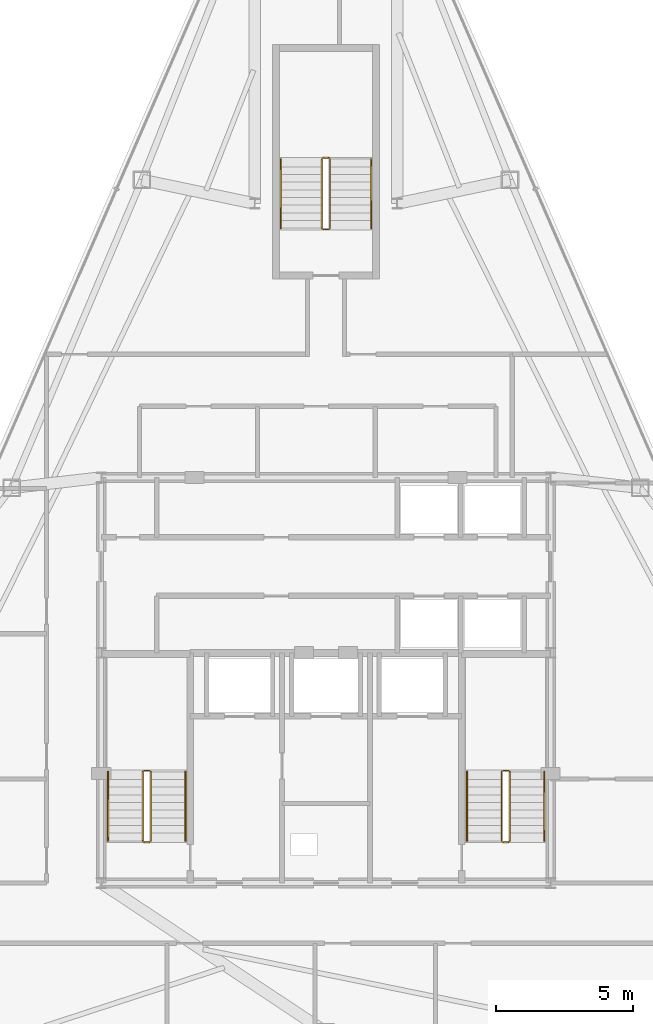
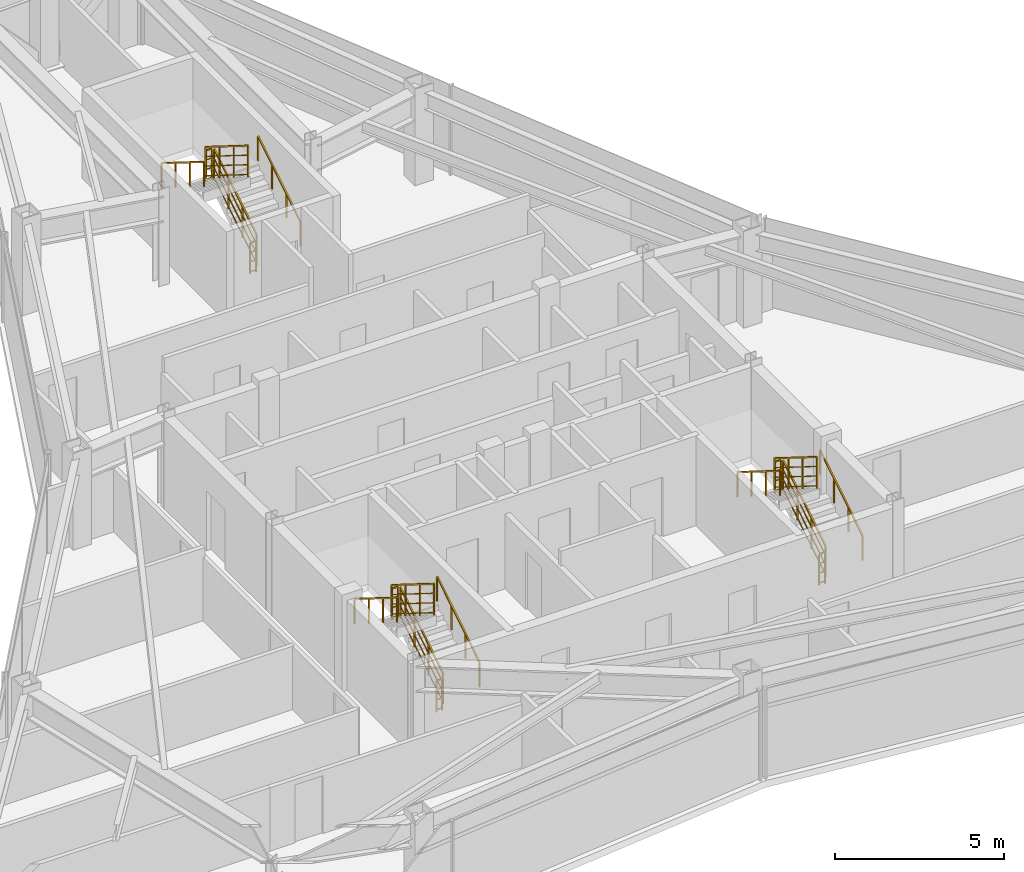
# One storey, part 11 of 11: 18 railings.
"""IFC4 building model written with IfcOpenShell, lengths in metres."""

from ifc_helpers import new_model, si_unit, direction, frame, origin, origin_2d, place, context, subcontext, project, spatial, rectangle, extrude, material, type_object, element, save


model = new_model("IFC4")

# Units and contexts
model_context = context("Model", 3, precision=1e-05, world=origin(), true_north=direction((0.0, 1.0)))
body_context = subcontext(model_context, "Body", "Model", "MODEL_VIEW")
ifc_project = project(units=[si_unit("LENGTHUNIT", "METRE"), si_unit("AREAUNIT", "SQUARE_METRE"), si_unit("VOLUMEUNIT", "CUBIC_METRE"), si_unit("PLANEANGLEUNIT", "RADIAN"), si_unit("MASSUNIT", "GRAM", prefix="KILO")], contexts=[model_context])

# Site, building, storey
site_placement = place(None, origin())
site = spatial("IfcSite", under=ifc_project, at=site_placement, CompositionType="ELEMENT")
building_placement = place(site_placement, origin())
building = spatial("IfcBuilding", under=site, at=building_placement, Name="Varakhsha Concourse Tower", CompositionType="ELEMENT")
storey_placement = place(building_placement, frame((0.0, 0.0, 279.5)))
storey = spatial("IfcBuildingStorey", under=building, at=storey_placement, Name="L79", CompositionType="ELEMENT", Elevation=279.5)

# Railings
ifc_material = material(Name="Brushed Austenitic Stainless Steel AISI 316", Category="steel")
railing_type_1 = type_object("IfcRailingType", Name="RL-STAIR-GUARD-1100", PredefinedType="GUARDRAIL", material=ifc_material)
railing_1_placement = place(storey_placement, frame((33.610107421875, 17.93994140625, 0.175048828125)))
element("IfcRailing", 1, at=railing_1_placement, inside=storey, type_object=railing_type_1, Name="L79 ST1 stair guard 1", PredefinedType="GUARDRAIL", context=body_context, shape_type="SweptSolid", body=[
    extrude(rectangle(XDim=0.048095703125, YDim=0.048095703125, at=origin_2d()), frame((0.0, 0.0, 1.1259765625), z_axis=(0.0, 0.848007534815, 0.529984170421), x_axis=(-1.0, 0.0, 0.0)), (0.0, 0.0, 1.0), 2.9716796875),
    extrude(rectangle(XDim=0.028076171875, YDim=0.028076171875, at=origin_2d()), frame((0.0, 0.0, 0.080078125), z_axis=(0.0, 0.848007534815, 0.529984170421), x_axis=(-1.0, 0.0, 0.0)), (0.0, 0.0, 1.0), 2.9716796875),
    extrude(rectangle(XDim=0.028076171875, YDim=0.028076171875, at=origin_2d()), frame((0.0, 0.0, 0.43701171875), z_axis=(0.0, 0.848007534815, 0.529984170421), x_axis=(-1.0, 0.0, 0.0)), (0.0, 0.0, 1.0), 2.9716796875),
    extrude(rectangle(XDim=0.028076171875, YDim=0.028076171875, at=origin_2d()), frame((0.0, 0.0, 0.781982421875), z_axis=(0.0, 0.848007534815, 0.529984170421), x_axis=(-1.0, 0.0, 0.0)), (0.0, 0.0, 1.0), 2.9716796875),
    extrude(rectangle(XDim=0.0419921875, YDim=0.0419921875, at=origin_2d()), origin(), (0.0, 0.0, 1.0), 1.101806640625),
    extrude(rectangle(XDim=0.0419921875, YDim=0.0419921875, at=origin_2d()), frame((0.0, 0.840087890625, 0.52490234375)), (0.0, 0.0, 1.0), 1.101806640625),
    extrude(rectangle(XDim=0.0419921875, YDim=0.0419921875, at=origin_2d()), frame((0.0, 1.679931640625, 1.050048828125)), (0.0, 0.0, 1.0), 1.101806640625),
    extrude(rectangle(XDim=0.0419921875, YDim=0.0419921875, at=origin_2d()), frame((0.0, 2.52001953125, 1.574951171875)), (0.0, 0.0, 1.0), 1.101806640625),
])
railing_2_placement = place(storey_placement, frame((33.56005859375, 20.510009765625, 1.75)))
element("IfcRailing", 2, at=railing_2_placement, inside=storey, type_object=railing_type_1, Name="L79 ST1 stair guard 2", PredefinedType="GUARDRAIL", context=body_context, shape_type="SweptSolid", body=[
    extrude(rectangle(XDim=0.048095703125, YDim=0.048095703125, at=origin_2d()), frame((0.0, 0.0, 1.1259765625), z_axis=(-1.0, 0.0, 0.0), x_axis=(0.0, -1.0, 0.0)), (0.0, 0.0, 1.0), 0.199951171875),
    extrude(rectangle(XDim=0.028076171875, YDim=0.028076171875, at=origin_2d()), frame((0.0, 0.0, 0.080078125), z_axis=(-1.0, 0.0, 0.0), x_axis=(0.0, -1.0, 0.0)), (0.0, 0.0, 1.0), 0.199951171875),
    extrude(rectangle(XDim=0.028076171875, YDim=0.028076171875, at=origin_2d()), frame((0.0, 0.0, 0.43701171875), z_axis=(-1.0, 0.0, 0.0), x_axis=(0.0, -1.0, 0.0)), (0.0, 0.0, 1.0), 0.199951171875),
    extrude(rectangle(XDim=0.028076171875, YDim=0.028076171875, at=origin_2d()), frame((0.0, 0.0, 0.781982421875), z_axis=(-1.0, 0.0, 0.0), x_axis=(0.0, -1.0, 0.0)), (0.0, 0.0, 1.0), 0.199951171875),
    extrude(rectangle(XDim=0.0419921875, YDim=0.0419921875, at=origin_2d()), origin(), (0.0, 0.0, 1.0), 1.101806640625),
    extrude(rectangle(XDim=0.0419921875, YDim=0.0419921875, at=origin_2d()), frame((-0.199951171875, 0.0, 0.0)), (0.0, 0.0, 1.0), 1.101806640625),
])
railing_3_placement = place(storey_placement, frame((33.31005859375, 20.4599609375, 1.925048828125)))
element("IfcRailing", 3, at=railing_3_placement, inside=storey, type_object=railing_type_1, Name="L79 ST1 stair guard 3", PredefinedType="GUARDRAIL", context=body_context, shape_type="SweptSolid", body=[
    extrude(rectangle(XDim=0.048095703125, YDim=0.048095703125, at=origin_2d()), frame((0.0, 0.0, 1.1259765625), z_axis=(0.0, -0.848007534815, 0.529984170421), x_axis=(1.0, 0.0, 0.0)), (0.0, 0.0, 1.0), 2.9716796875),
    extrude(rectangle(XDim=0.028076171875, YDim=0.028076171875, at=origin_2d()), frame((0.0, 0.0, 0.080078125), z_axis=(0.0, -0.848007534815, 0.529984170421), x_axis=(1.0, 0.0, 0.0)), (0.0, 0.0, 1.0), 2.9716796875),
    extrude(rectangle(XDim=0.028076171875, YDim=0.028076171875, at=origin_2d()), frame((0.0, 0.0, 0.43701171875), z_axis=(0.0, -0.848007534815, 0.529984170421), x_axis=(1.0, 0.0, 0.0)), (0.0, 0.0, 1.0), 2.9716796875),
    extrude(rectangle(XDim=0.028076171875, YDim=0.028076171875, at=origin_2d()), frame((0.0, 0.0, 0.781982421875), z_axis=(0.0, -0.848007534815, 0.529984170421), x_axis=(1.0, 0.0, 0.0)), (0.0, 0.0, 1.0), 2.9716796875),
    extrude(rectangle(XDim=0.0419921875, YDim=0.0419921875, at=origin_2d()), origin(), (0.0, 0.0, 1.0), 1.101806640625),
    extrude(rectangle(XDim=0.0419921875, YDim=0.0419921875, at=origin_2d()), frame((0.0, -0.840087890625, 0.52490234375)), (0.0, 0.0, 1.0), 1.101806640625),
    extrude(rectangle(XDim=0.0419921875, YDim=0.0419921875, at=origin_2d()), frame((0.0, -1.679931640625, 1.050048828125)), (0.0, 0.0, 1.0), 1.101806640625),
    extrude(rectangle(XDim=0.0419921875, YDim=0.0419921875, at=origin_2d()), frame((0.0, -2.52001953125, 1.574951171875)), (0.0, 0.0, 1.0), 1.101806640625),
])
railing_4_placement = place(storey_placement, frame((33.56005859375, 17.889892578125, 0.0)))
element("IfcRailing", 4, at=railing_4_placement, inside=storey, type_object=railing_type_1, Name="L79 ST1 stair guard 4", PredefinedType="GUARDRAIL", context=body_context, shape_type="SweptSolid", body=[
    extrude(rectangle(XDim=0.048095703125, YDim=0.048095703125, at=origin_2d()), frame((0.0, 0.0, 1.1259765625), z_axis=(-1.0, 0.0, 0.0), x_axis=(0.0, -1.0, 0.0)), (0.0, 0.0, 1.0), 0.199951171875),
    extrude(rectangle(XDim=0.028076171875, YDim=0.028076171875, at=origin_2d()), frame((0.0, 0.0, 0.080078125), z_axis=(-1.0, 0.0, 0.0), x_axis=(0.0, -1.0, 0.0)), (0.0, 0.0, 1.0), 0.199951171875),
    extrude(rectangle(XDim=0.028076171875, YDim=0.028076171875, at=origin_2d()), frame((0.0, 0.0, 0.43701171875), z_axis=(-1.0, 0.0, 0.0), x_axis=(0.0, -1.0, 0.0)), (0.0, 0.0, 1.0), 0.199951171875),
    extrude(rectangle(XDim=0.028076171875, YDim=0.028076171875, at=origin_2d()), frame((0.0, 0.0, 0.781982421875), z_axis=(-1.0, 0.0, 0.0), x_axis=(0.0, -1.0, 0.0)), (0.0, 0.0, 1.0), 0.199951171875),
    extrude(rectangle(XDim=0.0419921875, YDim=0.0419921875, at=origin_2d()), origin(), (0.0, 0.0, 1.0), 1.101806640625),
    extrude(rectangle(XDim=0.0419921875, YDim=0.0419921875, at=origin_2d()), frame((-0.199951171875, 0.0, 0.0)), (0.0, 0.0, 1.0), 1.101806640625),
])
railing_5_placement = place(storey_placement, frame((46.7099609375, 17.93994140625, 0.175048828125)))
element("IfcRailing", 5, at=railing_5_placement, inside=storey, type_object=railing_type_1, Name="L79 ST2 stair guard 1", PredefinedType="GUARDRAIL", context=body_context, shape_type="SweptSolid", body=[
    extrude(rectangle(XDim=0.048095703125, YDim=0.048095703125, at=origin_2d()), frame((0.0, 0.0, 1.1259765625), z_axis=(0.0, 0.848007534815, 0.529984170421), x_axis=(-1.0, 0.0, 0.0)), (0.0, 0.0, 1.0), 2.9716796875),
    extrude(rectangle(XDim=0.028076171875, YDim=0.028076171875, at=origin_2d()), frame((0.0, 0.0, 0.080078125), z_axis=(0.0, 0.848007534815, 0.529984170421), x_axis=(-1.0, 0.0, 0.0)), (0.0, 0.0, 1.0), 2.9716796875),
    extrude(rectangle(XDim=0.028076171875, YDim=0.028076171875, at=origin_2d()), frame((0.0, 0.0, 0.43701171875), z_axis=(0.0, 0.848007534815, 0.529984170421), x_axis=(-1.0, 0.0, 0.0)), (0.0, 0.0, 1.0), 2.9716796875),
    extrude(rectangle(XDim=0.028076171875, YDim=0.028076171875, at=origin_2d()), frame((0.0, 0.0, 0.781982421875), z_axis=(0.0, 0.848007534815, 0.529984170421), x_axis=(-1.0, 0.0, 0.0)), (0.0, 0.0, 1.0), 2.9716796875),
    extrude(rectangle(XDim=0.0419921875, YDim=0.0419921875, at=origin_2d()), origin(), (0.0, 0.0, 1.0), 1.101806640625),
    extrude(rectangle(XDim=0.0419921875, YDim=0.0419921875, at=origin_2d()), frame((0.0, 0.840087890625, 0.52490234375)), (0.0, 0.0, 1.0), 1.101806640625),
    extrude(rectangle(XDim=0.0419921875, YDim=0.0419921875, at=origin_2d()), frame((0.0, 1.679931640625, 1.050048828125)), (0.0, 0.0, 1.0), 1.101806640625),
    extrude(rectangle(XDim=0.0419921875, YDim=0.0419921875, at=origin_2d()), frame((0.0, 2.52001953125, 1.574951171875)), (0.0, 0.0, 1.0), 1.101806640625),
])
railing_6_placement = place(storey_placement, frame((46.659912109375, 20.510009765625, 1.75)))
element("IfcRailing", 6, at=railing_6_placement, inside=storey, type_object=railing_type_1, Name="L79 ST2 stair guard 2", PredefinedType="GUARDRAIL", context=body_context, shape_type="SweptSolid", body=[
    extrude(rectangle(XDim=0.048095703125, YDim=0.048095703125, at=origin_2d()), frame((0.0, 0.0, 1.1259765625), z_axis=(-1.0, 0.0, 0.0), x_axis=(0.0, -1.0, 0.0)), (0.0, 0.0, 1.0), 0.199951171875),
    extrude(rectangle(XDim=0.028076171875, YDim=0.028076171875, at=origin_2d()), frame((0.0, 0.0, 0.080078125), z_axis=(-1.0, 0.0, 0.0), x_axis=(0.0, -1.0, 0.0)), (0.0, 0.0, 1.0), 0.199951171875),
    extrude(rectangle(XDim=0.028076171875, YDim=0.028076171875, at=origin_2d()), frame((0.0, 0.0, 0.43701171875), z_axis=(-1.0, 0.0, 0.0), x_axis=(0.0, -1.0, 0.0)), (0.0, 0.0, 1.0), 0.199951171875),
    extrude(rectangle(XDim=0.028076171875, YDim=0.028076171875, at=origin_2d()), frame((0.0, 0.0, 0.781982421875), z_axis=(-1.0, 0.0, 0.0), x_axis=(0.0, -1.0, 0.0)), (0.0, 0.0, 1.0), 0.199951171875),
    extrude(rectangle(XDim=0.0419921875, YDim=0.0419921875, at=origin_2d()), origin(), (0.0, 0.0, 1.0), 1.101806640625),
    extrude(rectangle(XDim=0.0419921875, YDim=0.0419921875, at=origin_2d()), frame((-0.199951171875, 0.0, 0.0)), (0.0, 0.0, 1.0), 1.101806640625),
])
railing_7_placement = place(storey_placement, frame((46.409912109375, 20.4599609375, 1.925048828125)))
element("IfcRailing", 7, at=railing_7_placement, inside=storey, type_object=railing_type_1, Name="L79 ST2 stair guard 3", PredefinedType="GUARDRAIL", context=body_context, shape_type="SweptSolid", body=[
    extrude(rectangle(XDim=0.048095703125, YDim=0.048095703125, at=origin_2d()), frame((0.0, 0.0, 1.1259765625), z_axis=(0.0, -0.848007534815, 0.529984170421), x_axis=(1.0, 0.0, 0.0)), (0.0, 0.0, 1.0), 2.9716796875),
    extrude(rectangle(XDim=0.028076171875, YDim=0.028076171875, at=origin_2d()), frame((0.0, 0.0, 0.080078125), z_axis=(0.0, -0.848007534815, 0.529984170421), x_axis=(1.0, 0.0, 0.0)), (0.0, 0.0, 1.0), 2.9716796875),
    extrude(rectangle(XDim=0.028076171875, YDim=0.028076171875, at=origin_2d()), frame((0.0, 0.0, 0.43701171875), z_axis=(0.0, -0.848007534815, 0.529984170421), x_axis=(1.0, 0.0, 0.0)), (0.0, 0.0, 1.0), 2.9716796875),
    extrude(rectangle(XDim=0.028076171875, YDim=0.028076171875, at=origin_2d()), frame((0.0, 0.0, 0.781982421875), z_axis=(0.0, -0.848007534815, 0.529984170421), x_axis=(1.0, 0.0, 0.0)), (0.0, 0.0, 1.0), 2.9716796875),
    extrude(rectangle(XDim=0.0419921875, YDim=0.0419921875, at=origin_2d()), origin(), (0.0, 0.0, 1.0), 1.101806640625),
    extrude(rectangle(XDim=0.0419921875, YDim=0.0419921875, at=origin_2d()), frame((0.0, -0.840087890625, 0.52490234375)), (0.0, 0.0, 1.0), 1.101806640625),
    extrude(rectangle(XDim=0.0419921875, YDim=0.0419921875, at=origin_2d()), frame((0.0, -1.679931640625, 1.050048828125)), (0.0, 0.0, 1.0), 1.101806640625),
    extrude(rectangle(XDim=0.0419921875, YDim=0.0419921875, at=origin_2d()), frame((0.0, -2.52001953125, 1.574951171875)), (0.0, 0.0, 1.0), 1.101806640625),
])
railing_8_placement = place(storey_placement, frame((46.659912109375, 17.889892578125, 0.0)))
element("IfcRailing", 8, at=railing_8_placement, inside=storey, type_object=railing_type_1, Name="L79 ST2 stair guard 4", PredefinedType="GUARDRAIL", context=body_context, shape_type="SweptSolid", body=[
    extrude(rectangle(XDim=0.048095703125, YDim=0.048095703125, at=origin_2d()), frame((0.0, 0.0, 1.1259765625), z_axis=(-1.0, 0.0, 0.0), x_axis=(0.0, -1.0, 0.0)), (0.0, 0.0, 1.0), 0.199951171875),
    extrude(rectangle(XDim=0.028076171875, YDim=0.028076171875, at=origin_2d()), frame((0.0, 0.0, 0.080078125), z_axis=(-1.0, 0.0, 0.0), x_axis=(0.0, -1.0, 0.0)), (0.0, 0.0, 1.0), 0.199951171875),
    extrude(rectangle(XDim=0.028076171875, YDim=0.028076171875, at=origin_2d()), frame((0.0, 0.0, 0.43701171875), z_axis=(-1.0, 0.0, 0.0), x_axis=(0.0, -1.0, 0.0)), (0.0, 0.0, 1.0), 0.199951171875),
    extrude(rectangle(XDim=0.028076171875, YDim=0.028076171875, at=origin_2d()), frame((0.0, 0.0, 0.781982421875), z_axis=(-1.0, 0.0, 0.0), x_axis=(0.0, -1.0, 0.0)), (0.0, 0.0, 1.0), 0.199951171875),
    extrude(rectangle(XDim=0.0419921875, YDim=0.0419921875, at=origin_2d()), origin(), (0.0, 0.0, 1.0), 1.101806640625),
    extrude(rectangle(XDim=0.0419921875, YDim=0.0419921875, at=origin_2d()), frame((-0.199951171875, 0.0, 0.0)), (0.0, 0.0, 1.0), 1.101806640625),
])
railing_9_placement = place(storey_placement, frame((40.14990234375, 40.300048828125, 0.175048828125)))
element("IfcRailing", 9, at=railing_9_placement, inside=storey, type_object=railing_type_1, Name="L79 ST5 stair guard 1", PredefinedType="GUARDRAIL", context=body_context, shape_type="SweptSolid", body=[
    extrude(rectangle(XDim=0.048095703125, YDim=0.048095703125, at=origin_2d()), frame((0.0, 0.0, 1.1259765625), z_axis=(0.0, 0.848007534815, 0.529984170421), x_axis=(-1.0, 0.0, 0.0)), (0.0, 0.0, 1.0), 2.9716796875),
    extrude(rectangle(XDim=0.028076171875, YDim=0.028076171875, at=origin_2d()), frame((0.0, 0.0, 0.080078125), z_axis=(0.0, 0.848007534815, 0.529984170421), x_axis=(-1.0, 0.0, 0.0)), (0.0, 0.0, 1.0), 2.9716796875),
    extrude(rectangle(XDim=0.028076171875, YDim=0.028076171875, at=origin_2d()), frame((0.0, 0.0, 0.43701171875), z_axis=(0.0, 0.848007534815, 0.529984170421), x_axis=(-1.0, 0.0, 0.0)), (0.0, 0.0, 1.0), 2.9716796875),
    extrude(rectangle(XDim=0.028076171875, YDim=0.028076171875, at=origin_2d()), frame((0.0, 0.0, 0.781982421875), z_axis=(0.0, 0.848007534815, 0.529984170421), x_axis=(-1.0, 0.0, 0.0)), (0.0, 0.0, 1.0), 2.9716796875),
    extrude(rectangle(XDim=0.0419921875, YDim=0.0419921875, at=origin_2d()), origin(), (0.0, 0.0, 1.0), 1.101806640625),
    extrude(rectangle(XDim=0.0419921875, YDim=0.0419921875, at=origin_2d()), frame((0.0, 0.840087890625, 0.52490234375)), (0.0, 0.0, 1.0), 1.101806640625),
    extrude(rectangle(XDim=0.0419921875, YDim=0.0419921875, at=origin_2d()), frame((0.0, 1.679931640625, 1.050048828125)), (0.0, 0.0, 1.0), 1.101806640625),
    extrude(rectangle(XDim=0.0419921875, YDim=0.0419921875, at=origin_2d()), frame((0.0, 2.52001953125, 1.574951171875)), (0.0, 0.0, 1.0), 1.101806640625),
])
railing_10_placement = place(storey_placement, frame((40.10009765625, 42.8701171875, 1.75)))
element("IfcRailing", 10, at=railing_10_placement, inside=storey, type_object=railing_type_1, Name="L79 ST5 stair guard 2", PredefinedType="GUARDRAIL", context=body_context, shape_type="SweptSolid", body=[
    extrude(rectangle(XDim=0.048095703125, YDim=0.048095703125, at=origin_2d()), frame((0.0, 0.0, 1.1259765625), z_axis=(-1.0, 0.0, 0.0), x_axis=(0.0, -1.0, 0.0)), (0.0, 0.0, 1.0), 0.2001953125),
    extrude(rectangle(XDim=0.028076171875, YDim=0.028076171875, at=origin_2d()), frame((0.0, 0.0, 0.080078125), z_axis=(-1.0, 0.0, 0.0), x_axis=(0.0, -1.0, 0.0)), (0.0, 0.0, 1.0), 0.2001953125),
    extrude(rectangle(XDim=0.028076171875, YDim=0.028076171875, at=origin_2d()), frame((0.0, 0.0, 0.43701171875), z_axis=(-1.0, 0.0, 0.0), x_axis=(0.0, -1.0, 0.0)), (0.0, 0.0, 1.0), 0.2001953125),
    extrude(rectangle(XDim=0.028076171875, YDim=0.028076171875, at=origin_2d()), frame((0.0, 0.0, 0.781982421875), z_axis=(-1.0, 0.0, 0.0), x_axis=(0.0, -1.0, 0.0)), (0.0, 0.0, 1.0), 0.2001953125),
    extrude(rectangle(XDim=0.0419921875, YDim=0.0419921875, at=origin_2d()), origin(), (0.0, 0.0, 1.0), 1.101806640625),
    extrude(rectangle(XDim=0.0419921875, YDim=0.0419921875, at=origin_2d()), frame((-0.2001953125, 0.0, 0.0)), (0.0, 0.0, 1.0), 1.101806640625),
])
railing_11_placement = place(storey_placement, frame((39.85009765625, 42.820068359375, 1.925048828125)))
element("IfcRailing", 11, at=railing_11_placement, inside=storey, type_object=railing_type_1, Name="L79 ST5 stair guard 3", PredefinedType="GUARDRAIL", context=body_context, shape_type="SweptSolid", body=[
    extrude(rectangle(XDim=0.048095703125, YDim=0.048095703125, at=origin_2d()), frame((0.0, 0.0, 1.1259765625), z_axis=(0.0, -0.848007534815, 0.529984170421), x_axis=(1.0, 0.0, 0.0)), (0.0, 0.0, 1.0), 2.9716796875),
    extrude(rectangle(XDim=0.028076171875, YDim=0.028076171875, at=origin_2d()), frame((0.0, 0.0, 0.080078125), z_axis=(0.0, -0.848007534815, 0.529984170421), x_axis=(1.0, 0.0, 0.0)), (0.0, 0.0, 1.0), 2.9716796875),
    extrude(rectangle(XDim=0.028076171875, YDim=0.028076171875, at=origin_2d()), frame((0.0, 0.0, 0.43701171875), z_axis=(0.0, -0.848007534815, 0.529984170421), x_axis=(1.0, 0.0, 0.0)), (0.0, 0.0, 1.0), 2.9716796875),
    extrude(rectangle(XDim=0.028076171875, YDim=0.028076171875, at=origin_2d()), frame((0.0, 0.0, 0.781982421875), z_axis=(0.0, -0.848007534815, 0.529984170421), x_axis=(1.0, 0.0, 0.0)), (0.0, 0.0, 1.0), 2.9716796875),
    extrude(rectangle(XDim=0.0419921875, YDim=0.0419921875, at=origin_2d()), origin(), (0.0, 0.0, 1.0), 1.101806640625),
    extrude(rectangle(XDim=0.0419921875, YDim=0.0419921875, at=origin_2d()), frame((0.0, -0.840087890625, 0.52490234375)), (0.0, 0.0, 1.0), 1.101806640625),
    extrude(rectangle(XDim=0.0419921875, YDim=0.0419921875, at=origin_2d()), frame((0.0, -1.679931640625, 1.050048828125)), (0.0, 0.0, 1.0), 1.101806640625),
    extrude(rectangle(XDim=0.0419921875, YDim=0.0419921875, at=origin_2d()), frame((0.0, -2.52001953125, 1.574951171875)), (0.0, 0.0, 1.0), 1.101806640625),
])
railing_12_placement = place(storey_placement, frame((40.10009765625, 40.25, 0.0)))
element("IfcRailing", 12, at=railing_12_placement, inside=storey, type_object=railing_type_1, Name="L79 ST5 stair guard 4", PredefinedType="GUARDRAIL", context=body_context, shape_type="SweptSolid", body=[
    extrude(rectangle(XDim=0.048095703125, YDim=0.048095703125, at=origin_2d()), frame((0.0, 0.0, 1.1259765625), z_axis=(-1.0, 0.0, 0.0), x_axis=(0.0, -1.0, 0.0)), (0.0, 0.0, 1.0), 0.2001953125),
    extrude(rectangle(XDim=0.028076171875, YDim=0.028076171875, at=origin_2d()), frame((0.0, 0.0, 0.080078125), z_axis=(-1.0, 0.0, 0.0), x_axis=(0.0, -1.0, 0.0)), (0.0, 0.0, 1.0), 0.2001953125),
    extrude(rectangle(XDim=0.028076171875, YDim=0.028076171875, at=origin_2d()), frame((0.0, 0.0, 0.43701171875), z_axis=(-1.0, 0.0, 0.0), x_axis=(0.0, -1.0, 0.0)), (0.0, 0.0, 1.0), 0.2001953125),
    extrude(rectangle(XDim=0.028076171875, YDim=0.028076171875, at=origin_2d()), frame((0.0, 0.0, 0.781982421875), z_axis=(-1.0, 0.0, 0.0), x_axis=(0.0, -1.0, 0.0)), (0.0, 0.0, 1.0), 0.2001953125),
    extrude(rectangle(XDim=0.0419921875, YDim=0.0419921875, at=origin_2d()), origin(), (0.0, 0.0, 1.0), 1.101806640625),
    extrude(rectangle(XDim=0.0419921875, YDim=0.0419921875, at=origin_2d()), frame((-0.2001953125, 0.0, 0.0)), (0.0, 0.0, 1.0), 1.101806640625),
])
railing_type_2 = type_object("IfcRailingType", Name="RL-STAIR-RAIL-915", PredefinedType="HANDRAIL", material=ifc_material)
railing_13_placement = place(storey_placement, frame((34.8701171875, 17.93994140625, 0.35009765625)))
element("IfcRailing", 13, at=railing_13_placement, inside=storey, type_object=railing_type_2, Name="L79 ST1 stair handrail 1", PredefinedType="HANDRAIL", context=body_context, shape_type="SweptSolid", body=[
    extrude(rectangle(XDim=0.048095703125, YDim=0.048095703125, at=origin_2d()), frame((0.0, 0.0, 0.89111328125), z_axis=(0.0, 0.848007534815, 0.529984170421), x_axis=(-1.0, 0.0, 0.0)), (0.0, 0.0, 1.0), 2.9716796875),
    extrude(rectangle(XDim=0.0419921875, YDim=0.0419921875, at=origin_2d()), origin(), (0.0, 0.0, 1.0), 0.866943359375),
    extrude(rectangle(XDim=0.0419921875, YDim=0.0419921875, at=origin_2d()), frame((0.0, 0.840087890625, 0.52490234375)), (0.0, 0.0, 1.0), 0.866943359375),
    extrude(rectangle(XDim=0.0419921875, YDim=0.0419921875, at=origin_2d()), frame((0.0, 1.679931640625, 1.050048828125)), (0.0, 0.0, 1.0), 0.866943359375),
    extrude(rectangle(XDim=0.0419921875, YDim=0.0419921875, at=origin_2d()), frame((0.0, 2.52001953125, 1.574951171875)), (0.0, 0.0, 1.0), 0.866943359375),
])
railing_14_placement = place(storey_placement, frame((32.050048828125, 20.4599609375, 2.10009765625)))
element("IfcRailing", 14, at=railing_14_placement, inside=storey, type_object=railing_type_2, Name="L79 ST1 stair handrail 2", PredefinedType="HANDRAIL", context=body_context, shape_type="SweptSolid", body=[
    extrude(rectangle(XDim=0.048095703125, YDim=0.048095703125, at=origin_2d()), frame((0.0, 0.0, 0.89111328125), z_axis=(0.0, -0.848007534815, 0.529984170421), x_axis=(1.0, 0.0, 0.0)), (0.0, 0.0, 1.0), 2.9716796875),
    extrude(rectangle(XDim=0.0419921875, YDim=0.0419921875, at=origin_2d()), origin(), (0.0, 0.0, 1.0), 0.866943359375),
    extrude(rectangle(XDim=0.0419921875, YDim=0.0419921875, at=origin_2d()), frame((0.0, -0.840087890625, 0.52490234375)), (0.0, 0.0, 1.0), 0.866943359375),
    extrude(rectangle(XDim=0.0419921875, YDim=0.0419921875, at=origin_2d()), frame((0.0, -1.679931640625, 1.050048828125)), (0.0, 0.0, 1.0), 0.866943359375),
    extrude(rectangle(XDim=0.0419921875, YDim=0.0419921875, at=origin_2d()), frame((0.0, -2.52001953125, 1.574951171875)), (0.0, 0.0, 1.0), 0.866943359375),
])
railing_15_placement = place(storey_placement, frame((47.969970703125, 17.93994140625, 0.35009765625)))
element("IfcRailing", 15, at=railing_15_placement, inside=storey, type_object=railing_type_2, Name="L79 ST2 stair handrail 1", PredefinedType="HANDRAIL", context=body_context, shape_type="SweptSolid", body=[
    extrude(rectangle(XDim=0.048095703125, YDim=0.048095703125, at=origin_2d()), frame((0.0, 0.0, 0.89111328125), z_axis=(0.0, 0.848007534815, 0.529984170421), x_axis=(-1.0, 0.0, 0.0)), (0.0, 0.0, 1.0), 2.9716796875),
    extrude(rectangle(XDim=0.0419921875, YDim=0.0419921875, at=origin_2d()), origin(), (0.0, 0.0, 1.0), 0.866943359375),
    extrude(rectangle(XDim=0.0419921875, YDim=0.0419921875, at=origin_2d()), frame((0.0, 0.840087890625, 0.52490234375)), (0.0, 0.0, 1.0), 0.866943359375),
    extrude(rectangle(XDim=0.0419921875, YDim=0.0419921875, at=origin_2d()), frame((0.0, 1.679931640625, 1.050048828125)), (0.0, 0.0, 1.0), 0.866943359375),
    extrude(rectangle(XDim=0.0419921875, YDim=0.0419921875, at=origin_2d()), frame((0.0, 2.52001953125, 1.574951171875)), (0.0, 0.0, 1.0), 0.866943359375),
])
railing_16_placement = place(storey_placement, frame((45.14990234375, 20.4599609375, 2.10009765625)))
element("IfcRailing", 16, at=railing_16_placement, inside=storey, type_object=railing_type_2, Name="L79 ST2 stair handrail 2", PredefinedType="HANDRAIL", context=body_context, shape_type="SweptSolid", body=[
    extrude(rectangle(XDim=0.048095703125, YDim=0.048095703125, at=origin_2d()), frame((0.0, 0.0, 0.89111328125), z_axis=(0.0, -0.848007534815, 0.529984170421), x_axis=(1.0, 0.0, 0.0)), (0.0, 0.0, 1.0), 2.9716796875),
    extrude(rectangle(XDim=0.0419921875, YDim=0.0419921875, at=origin_2d()), origin(), (0.0, 0.0, 1.0), 0.866943359375),
    extrude(rectangle(XDim=0.0419921875, YDim=0.0419921875, at=origin_2d()), frame((0.0, -0.840087890625, 0.52490234375)), (0.0, 0.0, 1.0), 0.866943359375),
    extrude(rectangle(XDim=0.0419921875, YDim=0.0419921875, at=origin_2d()), frame((0.0, -1.679931640625, 1.050048828125)), (0.0, 0.0, 1.0), 0.866943359375),
    extrude(rectangle(XDim=0.0419921875, YDim=0.0419921875, at=origin_2d()), frame((0.0, -2.52001953125, 1.574951171875)), (0.0, 0.0, 1.0), 0.866943359375),
])
railing_17_placement = place(storey_placement, frame((41.64990234375, 40.300048828125, 0.35009765625)))
element("IfcRailing", 17, at=railing_17_placement, inside=storey, type_object=railing_type_2, Name="L79 ST5 stair handrail 1", PredefinedType="HANDRAIL", context=body_context, shape_type="SweptSolid", body=[
    extrude(rectangle(XDim=0.048095703125, YDim=0.048095703125, at=origin_2d()), frame((0.0, 0.0, 0.89111328125), z_axis=(0.0, 0.848007534815, 0.529984170421), x_axis=(-1.0, 0.0, 0.0)), (0.0, 0.0, 1.0), 2.9716796875),
    extrude(rectangle(XDim=0.0419921875, YDim=0.0419921875, at=origin_2d()), origin(), (0.0, 0.0, 1.0), 0.866943359375),
    extrude(rectangle(XDim=0.0419921875, YDim=0.0419921875, at=origin_2d()), frame((0.0, 0.840087890625, 0.52490234375)), (0.0, 0.0, 1.0), 0.866943359375),
    extrude(rectangle(XDim=0.0419921875, YDim=0.0419921875, at=origin_2d()), frame((0.0, 1.679931640625, 1.050048828125)), (0.0, 0.0, 1.0), 0.866943359375),
    extrude(rectangle(XDim=0.0419921875, YDim=0.0419921875, at=origin_2d()), frame((0.0, 2.52001953125, 1.574951171875)), (0.0, 0.0, 1.0), 0.866943359375),
])
railing_18_placement = place(storey_placement, frame((38.35009765625, 42.820068359375, 2.10009765625)))
element("IfcRailing", 18, at=railing_18_placement, inside=storey, type_object=railing_type_2, Name="L79 ST5 stair handrail 2", PredefinedType="HANDRAIL", context=body_context, shape_type="SweptSolid", body=[
    extrude(rectangle(XDim=0.048095703125, YDim=0.048095703125, at=origin_2d()), frame((0.0, 0.0, 0.89111328125), z_axis=(0.0, -0.848007534815, 0.529984170421), x_axis=(1.0, 0.0, 0.0)), (0.0, 0.0, 1.0), 2.9716796875),
    extrude(rectangle(XDim=0.0419921875, YDim=0.0419921875, at=origin_2d()), origin(), (0.0, 0.0, 1.0), 0.866943359375),
    extrude(rectangle(XDim=0.0419921875, YDim=0.0419921875, at=origin_2d()), frame((0.0, -0.840087890625, 0.52490234375)), (0.0, 0.0, 1.0), 0.866943359375),
    extrude(rectangle(XDim=0.0419921875, YDim=0.0419921875, at=origin_2d()), frame((0.0, -1.679931640625, 1.050048828125)), (0.0, 0.0, 1.0), 0.866943359375),
    extrude(rectangle(XDim=0.0419921875, YDim=0.0419921875, at=origin_2d()), frame((0.0, -2.52001953125, 1.574951171875)), (0.0, 0.0, 1.0), 0.866943359375),
])

save(model, "model.ifc")
